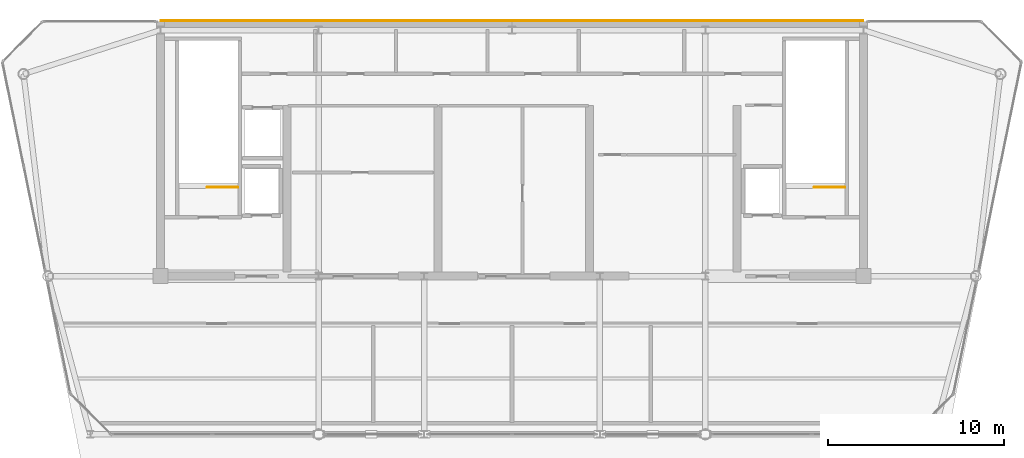
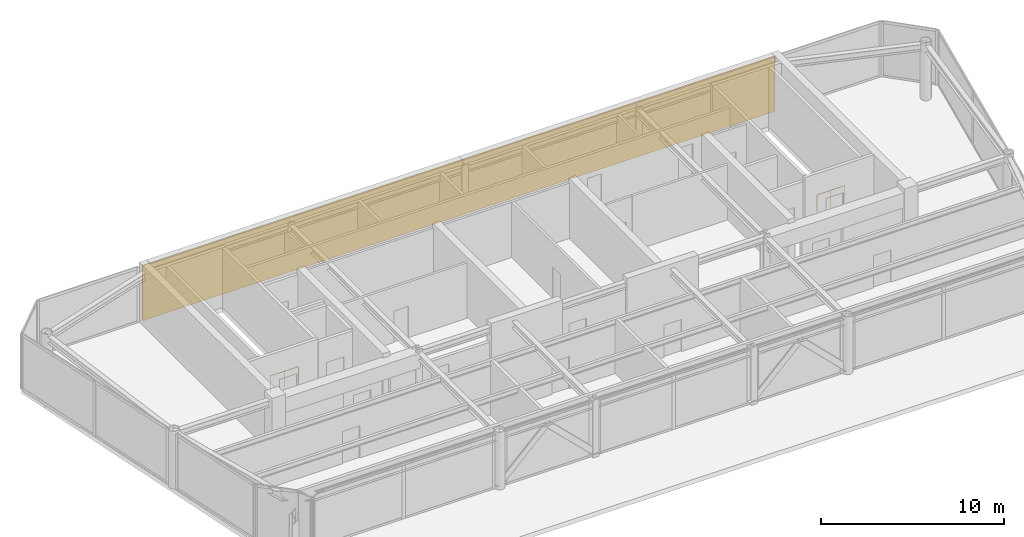
# One storey, part 7 of 7: 2 railings, 1 covering.
"""IFC4 building model written with IfcOpenShell, lengths in metres."""

from ifc_helpers import new_model, si_unit, direction, frame, origin, origin_2d, place, context, subcontext, project, spatial, polyline, circle, outline, extrude, material, layer, layer_set, type_object, element, save


model = new_model("IFC4")

# Units and contexts
model_context = context("Model", 3, precision=1e-05, world=origin(), true_north=direction((0.0, 1.0)))
body_context = subcontext(model_context, "Body", "Model", "MODEL_VIEW")
ifc_project = project(units=[si_unit("LENGTHUNIT", "METRE"), si_unit("AREAUNIT", "SQUARE_METRE"), si_unit("VOLUMEUNIT", "CUBIC_METRE"), si_unit("PLANEANGLEUNIT", "RADIAN"), si_unit("MASSUNIT", "GRAM", prefix="KILO")], contexts=[model_context])

# Site, building, storey
site_placement = place(None, origin())
site = spatial("IfcSite", under=ifc_project, at=site_placement, CompositionType="ELEMENT")
building_placement = place(site_placement, origin())
building = spatial("IfcBuilding", under=site, at=building_placement, Name="Vaeldorn Concourse Tower", CompositionType="ELEMENT")
storey_placement = place(building_placement, frame((0.0, 0.0, 312.800048828125)))
storey = spatial("IfcBuildingStorey", under=building, at=storey_placement, Name="L80", CompositionType="ELEMENT", Elevation=312.800048828125)

# Covering
ifc_material = material(Name="Anodised Bronze Aluminium", Category="aluminium")
ifc_layer = layer(ifc_material, 0.050048828125)
ifc_layer_set = layer_set([ifc_layer], Name="Anodised Bronze Aluminium")
covering_type = type_object("IfcCoveringType", Name="COV-CLAD-BRONZE", PredefinedType="CLADDING", material=ifc_layer_set)
covering_placement = place(storey_placement, origin())
element("IfcCovering", 1, at=covering_placement, inside=storey, type_object=covering_type, Name="Rear Core Bronze Spandrel Cladding L80", PredefinedType="CLADDING", context=body_context, shape_type="SweptSolid", body=[
    extrude(outline(polyline([(14.0, 51.0), (54.0, 51.0), (54.0, 51.050048828125), (14.0, 51.050048828125), (14.0, 51.0)])), origin(), (0.0, 0.0, 1.0), 3.699951171875),
])

# Railings
railing_type = type_object("IfcRailingType", Name="RL-STAIR-GUARD", PredefinedType="GUARDRAIL", material=ifc_material)
for number, where, name in (
    (2, (18.39990234375, 41.550048828125, 0.0), "L80 ST-1 top well guard 1"),
    (3, (52.949951171875, 41.550048828125, 0.0), "L80 ST-2 top well guard 1"),
):
    element("IfcRailing", number, at=place(storey_placement, frame(where)), inside=storey, type_object=railing_type, Name=name, PredefinedType="GUARDRAIL", context=body_context, shape_type="SweptSolid", body=[
        extrude(circle(Radius=0.02392578125, at=origin_2d()), frame((0.0, 0.0, 1.1259765625), z_axis=(-1.0, 0.0, 0.0), x_axis=(0.0, -1.0, 0.0)), (0.0, 0.0, 1.0), 1.75),
        extrude(circle(Radius=0.02099609375, at=origin_2d()), origin(), (0.0, 0.0, 1.0), 1.101806640625),
        extrude(circle(Radius=0.02099609375, at=origin_2d()), frame((-0.875, 0.0, 0.0)), (0.0, 0.0, 1.0), 1.101806640625),
        extrude(circle(Radius=0.02099609375, at=origin_2d()), frame((-1.75, 0.0, 0.0)), (0.0, 0.0, 1.0), 1.101806640625),
    ])

save(model, "model.ifc")
